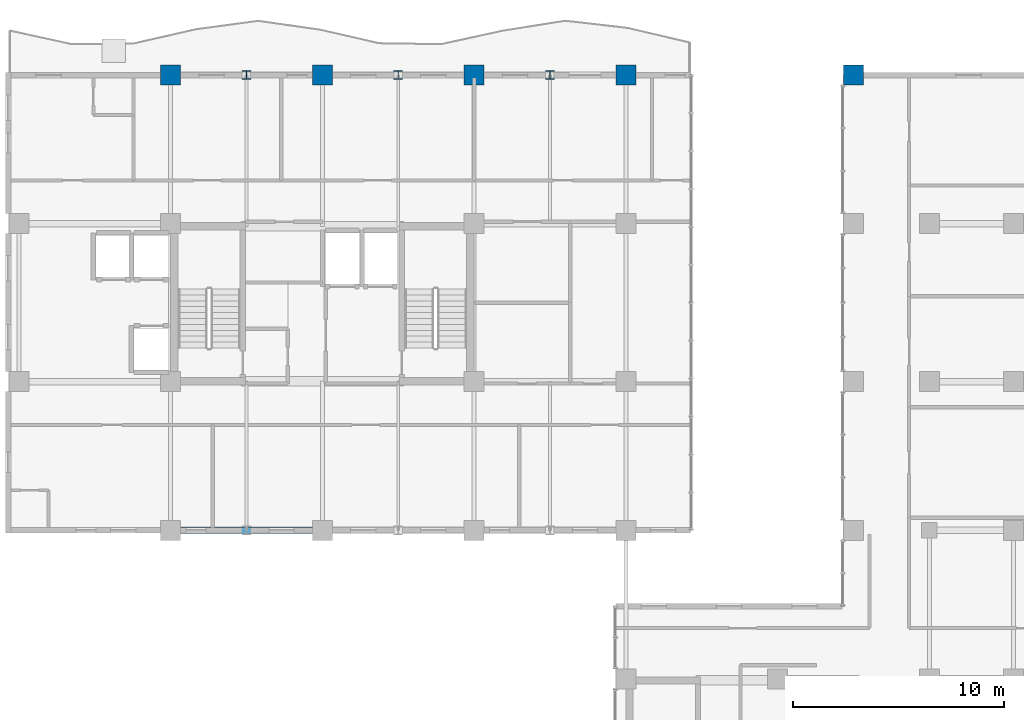
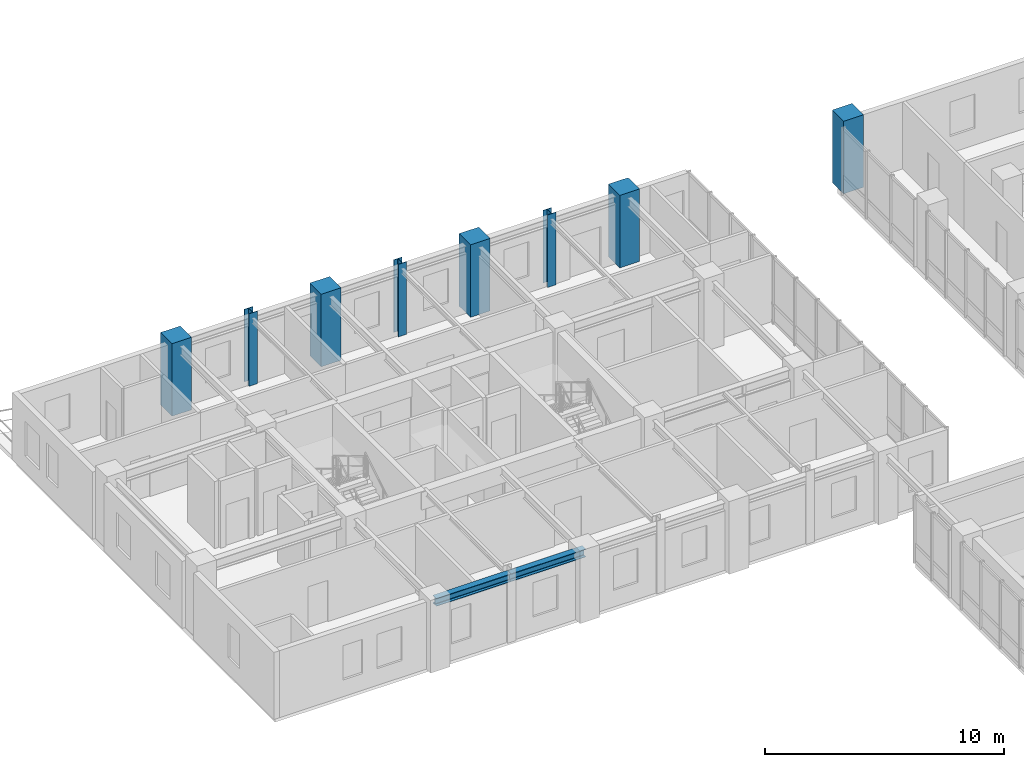
# One storey, part 3 of 24: 8 columns, 2 beams.
"""IFC4 building model written with IfcOpenShell, lengths in metres."""

import ifcopenshell
import ifcopenshell.guid

model = None  # the IFC model being written
_history = None  # IfcOwnerHistory: only IFC2X3 demands one
_inside = {}  # id of a spatial element -> (the spatial element, [elements in it])
_under = {}  # id of a project, library or spatial element -> (it, [spatial elements below it])
_declared = {}  # id of a project -> (the project, [libraries it declares])
_typed = {}  # id of a type object -> (the type object, [elements of that type])
_made_of = {}  # id of a material, layer set ... -> (it, [elements and type objects made of it])


def new_model(schema):
    """Start an empty IFC model of exactly this schema.

    Asked for "IFC4X3", IfcOpenShell would pick the latest addendum, in which some entities
    have other attributes; the version numbers below select the first issue.
    IFC2X3 requires an IfcOwnerHistory on every rooted entity: one is made here for all.
    """
    global model, _history
    if schema == "IFC4X3":
        model = ifcopenshell.file(schema_version=(4, 3, 0, 0))
    else:
        model = ifcopenshell.file(schema=schema)
    _inside.clear()
    _under.clear()
    _declared.clear()
    _typed.clear()
    _made_of.clear()
    _history = None
    if model.schema == "IFC2X3":
        org = make("IfcOrganization", Name="unknown")
        user = make(
            "IfcPersonAndOrganization",
            ThePerson=make("IfcPerson", FamilyName="unknown"),
            TheOrganization=org,
        )
        app = make(
            "IfcApplication",
            ApplicationDeveloper=org,
            Version="unknown",
            ApplicationFullName="unknown",
            ApplicationIdentifier="unknown",
        )
        _history = make(
            "IfcOwnerHistory",
            OwningUser=user,
            OwningApplication=app,
            ChangeAction="ADDED",
            CreationDate=0,
        )
    return model


def make(cls, **values):
    """One entity of the class cls with the attributes given. An attribute that is None is left unset."""
    return model.create_entity(
        cls, **{name: value for name, value in values.items() if value is not None}
    )


def rooted(cls, **values):
    """An entity with a GlobalId (a new one), such as an element, a storey or a relation."""
    return make(cls, GlobalId=ifcopenshell.guid.new(), OwnerHistory=_history, **values)


def si_unit(unit_type, name, prefix=None):
    """IfcSIUnit, for example si_unit("LENGTHUNIT", "METRE", prefix="MILLI")."""
    return make("IfcSIUnit", UnitType=unit_type, Prefix=prefix, Name=name)


def assignment(units):
    """IfcUnitAssignment: the units of a project."""
    return None if units is None else make("IfcUnitAssignment", Units=units)


def point(xyz):
    """IfcCartesianPoint."""
    return None if xyz is None else make("IfcCartesianPoint", Coordinates=xyz)


def direction(xyz):
    """IfcDirection."""
    return None if xyz is None else make("IfcDirection", DirectionRatios=xyz)


def frame(location, z_axis=None, x_axis=None):
    """IfcAxis2Placement3D, a coordinate frame: its origin and axes. An axis left out is left unset."""
    return make(
        "IfcAxis2Placement3D",
        Location=point(location),
        Axis=direction(z_axis),
        RefDirection=direction(x_axis),
    )


def frame_2d(location, x_axis=None):
    """IfcAxis2Placement2D, a coordinate frame in the plane: its origin and x axis."""
    return make(
        "IfcAxis2Placement2D", Location=point(location), RefDirection=direction(x_axis)
    )


def origin():
    """The frame at (0, 0, 0) with its axes left unset."""
    return frame((0.0, 0.0, 0.0))


def origin_2d():
    """The frame at (0, 0) in the plane with its x axis left unset."""
    return frame_2d((0.0, 0.0))


def place(relative_to, where):
    """IfcLocalPlacement: puts the frame where relative to a parent placement (None: the world)."""
    return make(
        "IfcLocalPlacement", PlacementRelTo=relative_to, RelativePlacement=where
    )


def context(
    kind, dimensions, precision=None, world=None, true_north=None, identifier=None
):
    """IfcGeometricRepresentationContext, for example the 3D "Model" context."""
    return make(
        "IfcGeometricRepresentationContext",
        ContextIdentifier=identifier,
        ContextType=kind,
        CoordinateSpaceDimension=dimensions,
        Precision=precision,
        WorldCoordinateSystem=world,
        TrueNorth=true_north,
    )


def subcontext(parent, identifier, kind, view, scale=None):
    """IfcGeometricRepresentationSubContext, for example "Body" below "Model"."""
    return make(
        "IfcGeometricRepresentationSubContext",
        ContextIdentifier=identifier,
        ContextType=kind,
        ParentContext=parent,
        TargetScale=scale,
        TargetView=view,
    )


def project(units=None, contexts=None):
    """IfcProject with its units and contexts."""
    return rooted(
        "IfcProject",
        Name="project",
        RepresentationContexts=contexts,
        UnitsInContext=assignment(units),
    )


def spatial(cls, under=None, at=None, **own):
    """A site, building, storey or space (cls), placed at a placement, below another one or the project."""
    s = rooted(cls, ObjectPlacement=at, **own)
    if under is not None:
        _under.setdefault(under.id(), (under, []))[1].append(s)
    return s


def profile(cls, at=None, kind="AREA", **sizes):
    """A parametric profile (cls). Its sizes go by their IFC names, for example OverallWidth=200.0."""
    return make(cls, ProfileType=kind, Position=at, **sizes)


def rectangle(**sizes):
    """IfcRectangleProfileDef."""
    return profile("IfcRectangleProfileDef", **sizes)


def i_section(**sizes):
    """IfcIShapeProfileDef."""
    return profile("IfcIShapeProfileDef", **sizes)


def extrude(swept, where, along, depth):
    """IfcExtrudedAreaSolid: the profile swept, set in the frame where, extruded along a direction by depth."""
    return make(
        "IfcExtrudedAreaSolid",
        SweptArea=swept,
        Position=where,
        ExtrudedDirection=direction(along),
        Depth=depth,
    )


def shape(context_of_items, identifier, shape_type, items):
    """IfcShapeRepresentation: the items that make up one representation, for example the "Body"."""
    return make(
        "IfcShapeRepresentation",
        ContextOfItems=context_of_items,
        RepresentationIdentifier=identifier,
        RepresentationType=shape_type,
        Items=items,
    )


def source(mapping_origin, context_of_items, identifier, shape_type, items):
    """IfcRepresentationMap: a shape defined once, which mapped items show again and again."""
    return make(
        "IfcRepresentationMap",
        MappingOrigin=mapping_origin,
        MappedRepresentation=shape(context_of_items, identifier, shape_type, items),
    )


def transform(
    local_origin,
    x_axis=None,
    y_axis=None,
    z_axis=None,
    scale=None,
    scale2=None,
    scale3=None,
    uniform=True,
):
    """IfcCartesianTransformationOperator3D, or its non-uniform kind. x_axis, y_axis, z_axis: its Axis1, 2, 3."""
    if uniform:
        return make(
            "IfcCartesianTransformationOperator3D",
            Axis1=direction(x_axis),
            Axis2=direction(y_axis),
            LocalOrigin=point(local_origin),
            Scale=scale,
            Axis3=direction(z_axis),
        )
    return make(
        "IfcCartesianTransformationOperator3DnonUniform",
        Axis1=direction(x_axis),
        Axis2=direction(y_axis),
        LocalOrigin=point(local_origin),
        Scale=scale,
        Axis3=direction(z_axis),
        Scale2=scale2,
        Scale3=scale3,
    )


def mapped(mapping_source, mapping_target):
    """IfcMappedItem: shows the shape of a source again, moved by a transform."""
    return make(
        "IfcMappedItem", MappingSource=mapping_source, MappingTarget=mapping_target
    )


def material(Name=None, Category=None):
    """IfcMaterial."""
    return make("IfcMaterial", Name=Name, Category=Category)


def material_profile(
    of_material, cross_section, Name=None, Category=None, Priority=None
):
    """IfcMaterialProfile: a cross section and its material."""
    return make(
        "IfcMaterialProfile",
        Name=Name,
        Material=of_material,
        Profile=cross_section,
        Priority=Priority,
        Category=Category,
    )


def profile_set(profiles, Name=None, composite=None):
    """IfcMaterialProfileSet."""
    return make(
        "IfcMaterialProfileSet",
        Name=Name,
        MaterialProfiles=profiles,
        CompositeProfile=composite,
    )


def made_of(thing, what):
    """Note that an element or type object is made of a material, layer set ...; save() writes the relation."""
    if what is not None:
        _made_of.setdefault(what.id(), (what, []))[1].append(thing)
    return thing


def type_object(cls, material=None, **own):
    """A type object (cls), such as IfcWallType, which elements share."""
    return made_of(rooted(cls, **own), material)


def element(
    cls,
    number,
    at=None,
    inside=None,
    cuts=None,
    type_object=None,
    material=None,
    context=None,
    identifier="Body",
    shape_type=None,
    held_by="IfcProductDefinitionShape",
    body=None,
    shapes=None,
    **own,
):
    """One element of the class cls, such as IfcWall. Its Tag is "e" and its number.

    at: its placement. inside: the storey or other place that contains it. cuts: it is an
    opening in that element (IfcRelVoidsElement). A single representation is given by context,
    identifier, shape_type and body (its items); several are given by shapes. held_by: the class
    of the entity that holds the representations. save() writes the other relations.
    """
    e = rooted(cls, Tag="e%d" % number, ObjectPlacement=at, **own)
    if body is not None:
        shapes = [shape(context, identifier, shape_type, body)]
    if shapes is not None:
        e.Representation = make(held_by, Representations=shapes)
    if inside is not None:
        _inside.setdefault(inside.id(), (inside, []))[1].append(e)
    if cuts is not None:
        rooted(
            "IfcRelVoidsElement", RelatingBuildingElement=cuts, RelatedOpeningElement=e
        )
    if type_object is not None:
        _typed.setdefault(type_object.id(), (type_object, []))[1].append(e)
    return made_of(e, material)


def aggregate(whole, parts):
    """IfcRelAggregates: a whole, such as a stair, and the parts it consists of."""
    return rooted("IfcRelAggregates", RelatingObject=whole, RelatedObjects=parts)


def save(model, path):
    """Write the relations noted so far, then the file.

    IfcRelAggregates (storeys below a building ...), IfcRelContainedInSpatialStructure (elements
    in a storey), IfcRelDefinesByType, IfcRelAssociatesMaterial and IfcRelDeclares: one each for
    every whole, place, type object, material and project.
    """
    for whole, parts in _under.values():
        aggregate(whole, parts)
    for where, things in _inside.values():
        rooted(
            "IfcRelContainedInSpatialStructure",
            RelatedElements=things,
            RelatingStructure=where,
        )
    for kind, things in _typed.values():
        rooted("IfcRelDefinesByType", RelatedObjects=things, RelatingType=kind)
    for what, things in _made_of.values():
        rooted("IfcRelAssociatesMaterial", RelatedObjects=things, RelatingMaterial=what)
    for by, libraries in _declared.values():
        rooted("IfcRelDeclares", RelatingContext=by, RelatedDefinitions=libraries)
    model.write(path)


model = new_model("IFC4")

# Units and contexts
model_context = context("Model", 3, precision=1e-05, world=origin(), true_north=direction((0.0, 1.0)))
body_context = subcontext(model_context, "Body", "Model", "MODEL_VIEW")
ifc_project = project(units=[si_unit("LENGTHUNIT", "METRE"), si_unit("AREAUNIT", "SQUARE_METRE"), si_unit("VOLUMEUNIT", "CUBIC_METRE"), si_unit("PLANEANGLEUNIT", "RADIAN"), si_unit("MASSUNIT", "GRAM", prefix="KILO")], contexts=[model_context])

# Site, building, storey
site_placement = place(None, origin())
site = spatial("IfcSite", under=ifc_project, at=site_placement, CompositionType="ELEMENT")
building_placement = place(site_placement, origin())
building = spatial("IfcBuilding", under=site, at=building_placement, Name="Kaliganga Portal Commons", CompositionType="ELEMENT")
storey_placement = place(building_placement, frame((0.0, 0.0, 238.800048828125)))
storey = spatial("IfcBuildingStorey", under=building, at=storey_placement, Name="L61", CompositionType="ELEMENT", Elevation=238.800048828125)

# Columns
ifc_material_1 = material(Name="Concrete C50/60", Category="concrete")
ifc_material_profile_1 = material_profile(ifc_material_1, rectangle(XDim=0.949951171875, YDim=0.949951171875, at=origin_2d()), Name="RC 950x950")
ifc_profile_set_1 = profile_set([ifc_material_profile_1], Name="Concrete C50/60")
column_type_1 = type_object("IfcColumnType", Name="COL-MEGA-Z4", PredefinedType="COLUMN", material=ifc_profile_set_1)
shared_shape_1 = source(origin(), body_context, "Body", "SweptSolid", [
    extrude(rectangle(XDim=0.949951171875, YDim=0.949951171875, at=origin_2d()), origin(), (0.0, 0.0, 1.0), 3.699951171875),
])
for number, where, z_axis, x_axis, name in (
    (1, (14.39990234375, 43.199951171875, 0.0), (0.0, 0.0, 1.0), (1.0, 0.0, 0.0), "Column MC-05 L61"),
    (2, (21.60009765625, 43.199951171875, 0.0), (0.0, 0.0, 1.0), (1.0, 0.0, 0.0), "Column MC-05 L61"),
    (3, (28.800048828125, 43.199951171875, 0.0), (0.0, 0.0, 1.0), (1.0, 0.0, 0.0), "Column MC-05 L61"),
    (4, (36.0, 43.199951171875, 0.0), (0.0, 0.0, 1.0), (1.0, 0.0, 0.0), "Column MC-05 L61"),
    (5, (46.800048828125, 43.199951171875, 0.0), (0.0, 0.0, 1.0), (1.0, 0.0, 0.0), "Column MC-05 L61"),
):
    element("IfcColumn", number, at=place(storey_placement, frame(where, z_axis=z_axis, x_axis=x_axis)), inside=storey, type_object=column_type_1, Name=name, PredefinedType="COLUMN", context=body_context, shape_type="MappedRepresentation", body=[
        mapped(shared_shape_1, transform((0.0, 0.0, 0.0), x_axis=(1.0, 0.0, 0.0), y_axis=(0.0, 1.0, 0.0), z_axis=(0.0, 0.0, 1.0), scale=1.0)),
    ])
ifc_material_2 = material(Name="Structural steel S355J2", Category="steel")
ifc_material_profile_2 = material_profile(ifc_material_2, i_section(OverallWidth=0.39892578125, OverallDepth=0.39990234375, WebThickness=0.017333984375, FlangeThickness=0.0234375, FilletRadius=0.014892578125, at=origin_2d()), Name="HD 400x287")
ifc_profile_set_2 = profile_set([ifc_material_profile_2], Name="Structural steel S355J2 wide-flange")
column_type_2 = type_object("IfcColumnType", Name="COL-TUBE-B4", PredefinedType="COLUMN", material=ifc_profile_set_2)
shared_shape_2 = source(origin(), body_context, "Body", "SweptSolid", [
    extrude(i_section(OverallWidth=0.39892578125, OverallDepth=0.39990234375, WebThickness=0.017333984375, FlangeThickness=0.0234375, FilletRadius=0.014892578125, at=origin_2d()), origin(), (0.0, 0.0, 1.0), 3.699951171875),
])
for number, where, z_axis, x_axis, name in (
    (6, (18.0, 43.199951171875, 0.0), (0.0, 0.0, 1.0), (1.0, 0.0, 0.0), "Column TC-04 L61"),
    (7, (25.199951171875, 43.199951171875, 0.0), (0.0, 0.0, 1.0), (1.0, 0.0, 0.0), "Column TC-04 L61"),
    (8, (32.39990234375, 43.199951171875, 0.0), (0.0, 0.0, 1.0), (1.0, 0.0, 0.0), "Column TC-04 L61"),
):
    element("IfcColumn", number, at=place(storey_placement, frame(where, z_axis=z_axis, x_axis=x_axis)), inside=storey, type_object=column_type_2, Name=name, PredefinedType="COLUMN", context=body_context, shape_type="MappedRepresentation", body=[
        mapped(shared_shape_2, transform((0.0, 0.0, 0.0), x_axis=(1.0, 0.0, 0.0), y_axis=(0.0, 1.0, 0.0), z_axis=(0.0, 0.0, 1.0), scale=1.0)),
    ])

# Beams
ifc_material_profile_3 = material_profile(ifc_material_2, i_section(OverallWidth=0.300048828125, OverallDepth=0.39990234375, WebThickness=0.013427734375, FlangeThickness=0.02392578125, FilletRadius=0.027099609375, at=origin_2d()), Name="HE 400 B")
ifc_profile_set_3 = profile_set([ifc_material_profile_3], Name="Structural steel S355J2 wide-flange")
beam_type = type_object("IfcBeamType", Name="BM-SPAND-400", PredefinedType="SPANDREL", material=ifc_profile_set_3)
shared_shape_3 = source(origin(), body_context, "Body", "SweptSolid", [
    extrude(i_section(OverallWidth=0.300048828125, OverallDepth=0.39990234375, WebThickness=0.013427734375, FlangeThickness=0.02392578125, FilletRadius=0.027099609375, at=origin_2d()), origin(), (0.0, 0.0, 1.0), 3.60009765625),
])
for number, where, z_axis, x_axis, name in (
    (9, (14.39990234375, 21.60009765625, 3.239990234375), (1.0, 0.0, 0.0), (0.0, 1.0, 0.0), "BM SP L61 AS 1"),
    (10, (18.0, 21.60009765625, 3.239990234375), (1.0, 0.0, 0.0), (0.0, 1.0, 0.0), "BM SP L61 AS 2"),
):
    element("IfcBeam", number, at=place(storey_placement, frame(where, z_axis=z_axis, x_axis=x_axis)), inside=storey, type_object=beam_type, Name=name, PredefinedType="SPANDREL", context=body_context, shape_type="MappedRepresentation", body=[
        mapped(shared_shape_3, transform((0.0, 0.0, 0.0), x_axis=(1.0, 0.0, 0.0), y_axis=(0.0, 1.0, 0.0), z_axis=(0.0, 0.0, 1.0), scale=1.0)),
    ])

save(model, "model.ifc")
